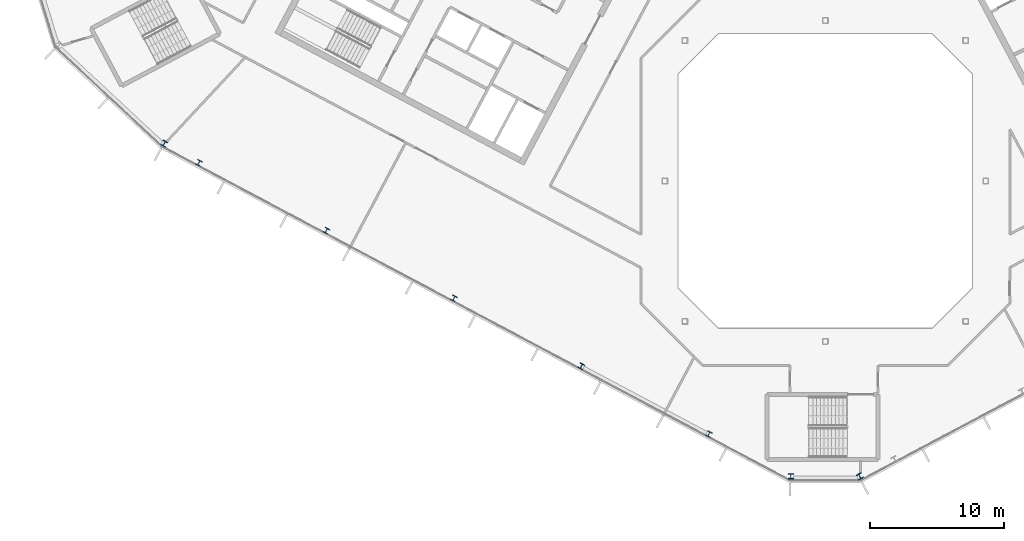
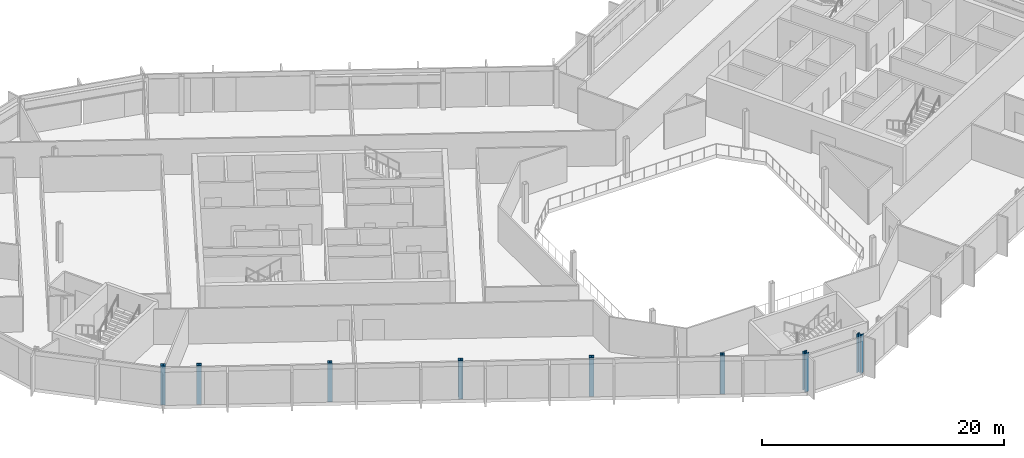
# One storey, part 1 of 25: 8 columns.
"""IFC4 building model written with IfcOpenShell, lengths in metres."""

from ifc_helpers import new_model, si_unit, direction, frame, origin, origin_2d, place, context, subcontext, project, spatial, i_section, extrude, material, material_profile, profile_set, type_object, element, save


model = new_model("IFC4")

# Units and contexts
model_context = context("Model", 3, precision=1e-05, world=origin(), true_north=direction((0.0, 1.0)))
body_context = subcontext(model_context, "Body", "Model", "MODEL_VIEW")
ifc_project = project(units=[si_unit("LENGTHUNIT", "METRE"), si_unit("AREAUNIT", "SQUARE_METRE"), si_unit("VOLUMEUNIT", "CUBIC_METRE"), si_unit("PLANEANGLEUNIT", "RADIAN"), si_unit("MASSUNIT", "GRAM", prefix="KILO")], contexts=[model_context])

# Site, building, storey
site_placement = place(None, origin())
site = spatial("IfcSite", under=ifc_project, at=site_placement, CompositionType="ELEMENT")
building_placement = place(site_placement, origin())
building = spatial("IfcBuilding", under=site, at=building_placement, Name="Cormorant Relay Tower", CompositionType="ELEMENT")
storey_placement = place(building_placement, frame((0.0, 0.0, 273.60009765625)))
storey = spatial("IfcBuildingStorey", under=building, at=storey_placement, Name="L61", CompositionType="ELEMENT", Elevation=273.60009765625)

# Columns
ifc_material_1 = material(Name="Steel ASTM A992 (Fy 345 MPa)", Category="steel")
ifc_material_profile_1 = material_profile(ifc_material_1, i_section(OverallWidth=0.398681640625, OverallDepth=0.385986328125, WebThickness=0.02099609375, FlangeThickness=0.033203125, FilletRadius=0.01513671875, at=origin_2d()), Name="W360x262")
ifc_profile_set_1 = profile_set([ifc_material_profile_1], Name="Steel ASTM A992 (Fy 345 MPa)")
column_type_1 = type_object("IfcColumnType", Name="Column W360x262", PredefinedType="COLUMN", material=ifc_profile_set_1)
for number, where, z_axis, x_axis, name in (
    (1, (-8.705078125, -18.928955078125, 0.0), (0.0, 0.0, 1.0), (0.882947592859, -0.469471562786, 0.0), "Column L61-004"),
    (2, (-18.240966796875, -13.85791015625, 0.0), (0.0, 0.0, 1.0), (0.882947592859, -0.469471562786, 0.0), "Column L61-006"),
    (3, (-27.777099609375, -8.7880859375, 0.0), (0.0, 0.0, 1.0), (0.882947592859, -0.469471562786, 0.0), "Column L61-011"),
    (4, (-37.31298828125, -3.718017578125, 0.0), (0.0, 0.0, 1.0), (0.882947592859, -0.469471562786, 0.0), "Column L61-013"),
    (5, (-46.84912109375, 1.35205078125, 0.0), (0.0, 0.0, 1.0), (0.882947592859, -0.469471562786, 0.0), "Column L61-017"),
):
    element("IfcColumn", number, at=place(storey_placement, frame(where, z_axis=z_axis, x_axis=x_axis)), inside=storey, type_object=column_type_1, Name=name, PredefinedType="COLUMN", context=body_context, shape_type="SweptSolid", body=[
        extrude(i_section(OverallWidth=0.398681640625, OverallDepth=0.385986328125, WebThickness=0.02099609375, FlangeThickness=0.033203125, FilletRadius=0.01513671875, at=origin_2d()), origin(), (0.0, 0.0, 1.0), 3.89990234375),
    ])
ifc_material_2 = material(Name="Steel ASTM A992 (Fy 345 MPa)", Category="steel")
ifc_material_profile_2 = material_profile(ifc_material_2, i_section(OverallWidth=0.40380859375, OverallDepth=0.406494140625, WebThickness=0.027099609375, FlangeThickness=0.043701171875, FilletRadius=0.01513671875, at=origin_2d()), Name="W360x347")
ifc_profile_set_2 = profile_set([ifc_material_profile_2], Name="Steel ASTM A992 (Fy 345 MPa)")
column_type_2 = type_object("IfcColumnType", Name="Column W360x347", PredefinedType="COLUMN", material=ifc_profile_set_2)
for number, where, z_axis, x_axis, name in (
    (6, (-2.5791015625, -22.093994140625, 0.0), (0.0, 0.0, 1.0), (1.0, 0.0, 0.0), "Column L61-001"),
    (7, (2.5791015625, -22.093994140625, 0.0), (0.0, 0.0, 1.0), (0.882947592859, 0.469471562786, 0.0), "Column L61-002"),
    (8, (-49.44091796875, 2.7958984375, 0.0), (0.0, 0.0, 1.0), (0.882947592859, -0.469471562786, 0.0), "Column L61-018"),
):
    element("IfcColumn", number, at=place(storey_placement, frame(where, z_axis=z_axis, x_axis=x_axis)), inside=storey, type_object=column_type_2, Name=name, PredefinedType="COLUMN", context=body_context, shape_type="SweptSolid", body=[
        extrude(i_section(OverallWidth=0.40380859375, OverallDepth=0.406494140625, WebThickness=0.027099609375, FlangeThickness=0.043701171875, FilletRadius=0.01513671875, at=origin_2d()), origin(), (0.0, 0.0, 1.0), 3.89990234375),
    ])

save(model, "model.ifc")
